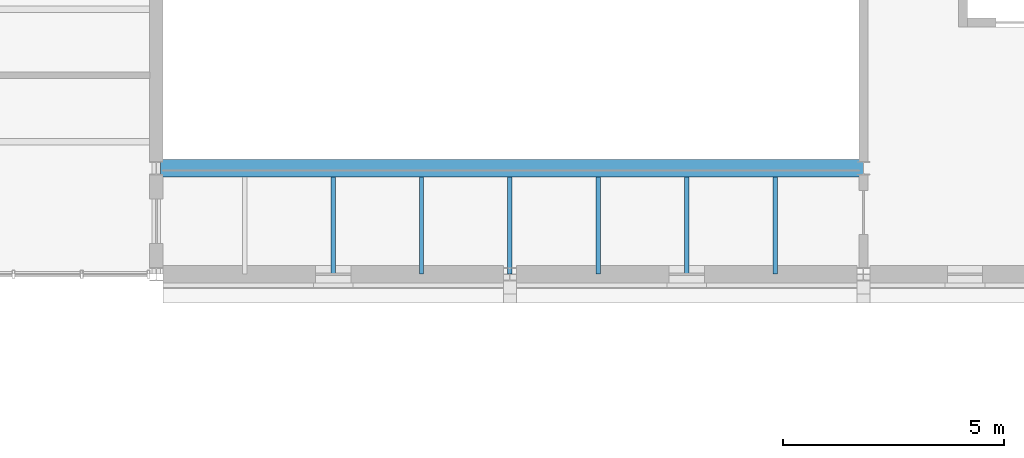
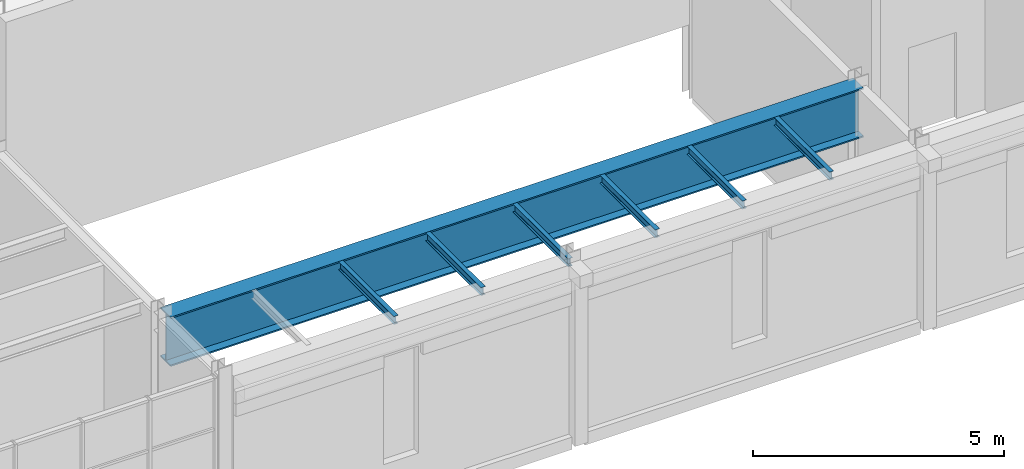
# One storey, part 72 of 153: 7 beams.
"""IFC4 building model written with IfcOpenShell, lengths in metres."""

import ifcopenshell
import ifcopenshell.guid

model = None  # the IFC model being written
_history = None  # IfcOwnerHistory: only IFC2X3 demands one
_inside = {}  # id of a spatial element -> (the spatial element, [elements in it])
_under = {}  # id of a project, library or spatial element -> (it, [spatial elements below it])
_declared = {}  # id of a project -> (the project, [libraries it declares])
_typed = {}  # id of a type object -> (the type object, [elements of that type])
_made_of = {}  # id of a material, layer set ... -> (it, [elements and type objects made of it])


def new_model(schema):
    """Start an empty IFC model of exactly this schema.

    Asked for "IFC4X3", IfcOpenShell would pick the latest addendum, in which some entities
    have other attributes; the version numbers below select the first issue.
    IFC2X3 requires an IfcOwnerHistory on every rooted entity: one is made here for all.
    """
    global model, _history
    if schema == "IFC4X3":
        model = ifcopenshell.file(schema_version=(4, 3, 0, 0))
    else:
        model = ifcopenshell.file(schema=schema)
    _inside.clear()
    _under.clear()
    _declared.clear()
    _typed.clear()
    _made_of.clear()
    _history = None
    if model.schema == "IFC2X3":
        org = make("IfcOrganization", Name="unknown")
        user = make(
            "IfcPersonAndOrganization",
            ThePerson=make("IfcPerson", FamilyName="unknown"),
            TheOrganization=org,
        )
        app = make(
            "IfcApplication",
            ApplicationDeveloper=org,
            Version="unknown",
            ApplicationFullName="unknown",
            ApplicationIdentifier="unknown",
        )
        _history = make(
            "IfcOwnerHistory",
            OwningUser=user,
            OwningApplication=app,
            ChangeAction="ADDED",
            CreationDate=0,
        )
    return model


def make(cls, **values):
    """One entity of the class cls with the attributes given. An attribute that is None is left unset."""
    return model.create_entity(
        cls, **{name: value for name, value in values.items() if value is not None}
    )


def rooted(cls, **values):
    """An entity with a GlobalId (a new one), such as an element, a storey or a relation."""
    return make(cls, GlobalId=ifcopenshell.guid.new(), OwnerHistory=_history, **values)


def si_unit(unit_type, name, prefix=None):
    """IfcSIUnit, for example si_unit("LENGTHUNIT", "METRE", prefix="MILLI")."""
    return make("IfcSIUnit", UnitType=unit_type, Prefix=prefix, Name=name)


def assignment(units):
    """IfcUnitAssignment: the units of a project."""
    return None if units is None else make("IfcUnitAssignment", Units=units)


def point(xyz):
    """IfcCartesianPoint."""
    return None if xyz is None else make("IfcCartesianPoint", Coordinates=xyz)


def direction(xyz):
    """IfcDirection."""
    return None if xyz is None else make("IfcDirection", DirectionRatios=xyz)


def frame(location, z_axis=None, x_axis=None):
    """IfcAxis2Placement3D, a coordinate frame: its origin and axes. An axis left out is left unset."""
    return make(
        "IfcAxis2Placement3D",
        Location=point(location),
        Axis=direction(z_axis),
        RefDirection=direction(x_axis),
    )


def frame_2d(location, x_axis=None):
    """IfcAxis2Placement2D, a coordinate frame in the plane: its origin and x axis."""
    return make(
        "IfcAxis2Placement2D", Location=point(location), RefDirection=direction(x_axis)
    )


def origin():
    """The frame at (0, 0, 0) with its axes left unset."""
    return frame((0.0, 0.0, 0.0))


def origin_2d():
    """The frame at (0, 0) in the plane with its x axis left unset."""
    return frame_2d((0.0, 0.0))


def place(relative_to, where):
    """IfcLocalPlacement: puts the frame where relative to a parent placement (None: the world)."""
    return make(
        "IfcLocalPlacement", PlacementRelTo=relative_to, RelativePlacement=where
    )


def context(
    kind, dimensions, precision=None, world=None, true_north=None, identifier=None
):
    """IfcGeometricRepresentationContext, for example the 3D "Model" context."""
    return make(
        "IfcGeometricRepresentationContext",
        ContextIdentifier=identifier,
        ContextType=kind,
        CoordinateSpaceDimension=dimensions,
        Precision=precision,
        WorldCoordinateSystem=world,
        TrueNorth=true_north,
    )


def subcontext(parent, identifier, kind, view, scale=None):
    """IfcGeometricRepresentationSubContext, for example "Body" below "Model"."""
    return make(
        "IfcGeometricRepresentationSubContext",
        ContextIdentifier=identifier,
        ContextType=kind,
        ParentContext=parent,
        TargetScale=scale,
        TargetView=view,
    )


def project(units=None, contexts=None):
    """IfcProject with its units and contexts."""
    return rooted(
        "IfcProject",
        Name="project",
        RepresentationContexts=contexts,
        UnitsInContext=assignment(units),
    )


def spatial(cls, under=None, at=None, **own):
    """A site, building, storey or space (cls), placed at a placement, below another one or the project."""
    s = rooted(cls, ObjectPlacement=at, **own)
    if under is not None:
        _under.setdefault(under.id(), (under, []))[1].append(s)
    return s


def profile(cls, at=None, kind="AREA", **sizes):
    """A parametric profile (cls). Its sizes go by their IFC names, for example OverallWidth=200.0."""
    return make(cls, ProfileType=kind, Position=at, **sizes)


def i_section(**sizes):
    """IfcIShapeProfileDef."""
    return profile("IfcIShapeProfileDef", **sizes)


def extrude(swept, where, along, depth):
    """IfcExtrudedAreaSolid: the profile swept, set in the frame where, extruded along a direction by depth."""
    return make(
        "IfcExtrudedAreaSolid",
        SweptArea=swept,
        Position=where,
        ExtrudedDirection=direction(along),
        Depth=depth,
    )


def shape(context_of_items, identifier, shape_type, items):
    """IfcShapeRepresentation: the items that make up one representation, for example the "Body"."""
    return make(
        "IfcShapeRepresentation",
        ContextOfItems=context_of_items,
        RepresentationIdentifier=identifier,
        RepresentationType=shape_type,
        Items=items,
    )


def material(Name=None, Category=None):
    """IfcMaterial."""
    return make("IfcMaterial", Name=Name, Category=Category)


def material_profile(
    of_material, cross_section, Name=None, Category=None, Priority=None
):
    """IfcMaterialProfile: a cross section and its material."""
    return make(
        "IfcMaterialProfile",
        Name=Name,
        Material=of_material,
        Profile=cross_section,
        Priority=Priority,
        Category=Category,
    )


def profile_set(profiles, Name=None, composite=None):
    """IfcMaterialProfileSet."""
    return make(
        "IfcMaterialProfileSet",
        Name=Name,
        MaterialProfiles=profiles,
        CompositeProfile=composite,
    )


def made_of(thing, what):
    """Note that an element or type object is made of a material, layer set ...; save() writes the relation."""
    if what is not None:
        _made_of.setdefault(what.id(), (what, []))[1].append(thing)
    return thing


def type_object(cls, material=None, **own):
    """A type object (cls), such as IfcWallType, which elements share."""
    return made_of(rooted(cls, **own), material)


def element(
    cls,
    number,
    at=None,
    inside=None,
    cuts=None,
    type_object=None,
    material=None,
    context=None,
    identifier="Body",
    shape_type=None,
    held_by="IfcProductDefinitionShape",
    body=None,
    shapes=None,
    **own,
):
    """One element of the class cls, such as IfcWall. Its Tag is "e" and its number.

    at: its placement. inside: the storey or other place that contains it. cuts: it is an
    opening in that element (IfcRelVoidsElement). A single representation is given by context,
    identifier, shape_type and body (its items); several are given by shapes. held_by: the class
    of the entity that holds the representations. save() writes the other relations.
    """
    e = rooted(cls, Tag="e%d" % number, ObjectPlacement=at, **own)
    if body is not None:
        shapes = [shape(context, identifier, shape_type, body)]
    if shapes is not None:
        e.Representation = make(held_by, Representations=shapes)
    if inside is not None:
        _inside.setdefault(inside.id(), (inside, []))[1].append(e)
    if cuts is not None:
        rooted(
            "IfcRelVoidsElement", RelatingBuildingElement=cuts, RelatedOpeningElement=e
        )
    if type_object is not None:
        _typed.setdefault(type_object.id(), (type_object, []))[1].append(e)
    return made_of(e, material)


def aggregate(whole, parts):
    """IfcRelAggregates: a whole, such as a stair, and the parts it consists of."""
    return rooted("IfcRelAggregates", RelatingObject=whole, RelatedObjects=parts)


def save(model, path):
    """Write the relations noted so far, then the file.

    IfcRelAggregates (storeys below a building ...), IfcRelContainedInSpatialStructure (elements
    in a storey), IfcRelDefinesByType, IfcRelAssociatesMaterial and IfcRelDeclares: one each for
    every whole, place, type object, material and project.
    """
    for whole, parts in _under.values():
        aggregate(whole, parts)
    for where, things in _inside.values():
        rooted(
            "IfcRelContainedInSpatialStructure",
            RelatedElements=things,
            RelatingStructure=where,
        )
    for kind, things in _typed.values():
        rooted("IfcRelDefinesByType", RelatedObjects=things, RelatingType=kind)
    for what, things in _made_of.values():
        rooted("IfcRelAssociatesMaterial", RelatedObjects=things, RelatingMaterial=what)
    for by, libraries in _declared.values():
        rooted("IfcRelDeclares", RelatingContext=by, RelatedDefinitions=libraries)
    model.write(path)


model = new_model("IFC4")

# Units and contexts
model_context = context("Model", 3, precision=1e-05, world=origin(), true_north=direction((0.0, 1.0)))
body_context = subcontext(model_context, "Body", "Model", "MODEL_VIEW")
ifc_project = project(units=[si_unit("LENGTHUNIT", "METRE"), si_unit("AREAUNIT", "SQUARE_METRE"), si_unit("VOLUMEUNIT", "CUBIC_METRE"), si_unit("PLANEANGLEUNIT", "RADIAN"), si_unit("MASSUNIT", "GRAM", prefix="KILO")], contexts=[model_context])

# Site, building, storey
site_placement = place(None, origin())
site = spatial("IfcSite", under=ifc_project, at=site_placement, CompositionType="ELEMENT")
building_placement = place(site_placement, origin())
building = spatial("IfcBuilding", under=site, at=building_placement, Name="Kallimachos Central Library", CompositionType="ELEMENT")
storey_placement = place(building_placement, frame((0.0, 0.0, 5.39990234375)))
storey = spatial("IfcBuildingStorey", under=building, at=storey_placement, Name="L01", CompositionType="ELEMENT", Elevation=5.39990234375)

# Beams
ifc_material_1 = material(Name="Steel S355J2", Category="steel")
ifc_material_profile_1 = material_profile(ifc_material_1, i_section(OverallWidth=0.10009765625, OverallDepth=0.199951171875, WebThickness=0.005615234375, FlangeThickness=0.008544921875, FilletRadius=0.011962890625, at=origin_2d()), Name="IPE 200")
ifc_profile_set_1 = profile_set([ifc_material_profile_1], Name="Steel S355J2")
beam_type_1 = type_object("IfcBeamType", Name="IPE 200 beam", PredefinedType="BEAM", material=ifc_profile_set_1)
for number, where, z_axis, x_axis, name in (
    (1, (150.0, 87.0, 4.150146484375), (0.0, 1.0, 0.0), (-1.0, 0.0, 0.0), "V3-BEM-L01-012"),
    (2, (152.0, 87.0, 4.150146484375), (0.0, 1.0, 0.0), (-1.0, 0.0, 0.0), "V3-BEM-L01-013"),
    (3, (154.0, 87.0, 4.150146484375), (0.0, 1.0, 0.0), (-1.0, 0.0, 0.0), "V3-BEM-L01-014"),
    (4, (156.0, 87.0, 4.150146484375), (0.0, 1.0, 0.0), (-1.0, 0.0, 0.0), "V3-BEM-L01-015"),
    (5, (158.0, 87.0, 4.150146484375), (0.0, 1.0, 0.0), (-1.0, 0.0, 0.0), "V3-BEM-L01-016"),
    (6, (160.0, 87.0, 4.150146484375), (0.0, 1.0, 0.0), (-1.0, 0.0, 0.0), "V3-BEM-L01-017"),
):
    element("IfcBeam", number, at=place(storey_placement, frame(where, z_axis=z_axis, x_axis=x_axis)), inside=storey, type_object=beam_type_1, Name=name, PredefinedType="BEAM", context=body_context, shape_type="SweptSolid", body=[
        extrude(i_section(OverallWidth=0.10009765625, OverallDepth=0.199951171875, WebThickness=0.005615234375, FlangeThickness=0.008544921875, FilletRadius=0.011962890625, at=origin_2d()), origin(), (0.0, 0.0, 1.0), 2.199951171875),
    ])
ifc_material_2 = material(Name="Steel S355K2", Category="steel")
ifc_material_profile_2 = material_profile(ifc_material_2, i_section(OverallWidth=0.39990234375, OverallDepth=1.199951171875, WebThickness=0.02001953125, FlangeThickness=0.034912109375, at=origin_2d()), Name="PG 1200x400-20/35")
ifc_profile_set_2 = profile_set([ifc_material_profile_2], Name="Steel S355K2")
beam_type_2 = type_object("IfcBeamType", Name="PG 1200x400-20/35 beam", PredefinedType="BEAM", material=ifc_profile_set_2)
beam_placement = place(storey_placement, frame((146.094970703125, 89.39990234375, 3.650146484375), z_axis=(1.0, 0.0, 0.0), x_axis=(0.0, 1.0, 0.0)))
element("IfcBeam", 7, at=beam_placement, inside=storey, type_object=beam_type_2, Name="V3-BEM-L01-010", PredefinedType="BEAM", context=body_context, shape_type="SweptSolid", body=[
    extrude(i_section(OverallWidth=0.39990234375, OverallDepth=1.199951171875, WebThickness=0.02001953125, FlangeThickness=0.034912109375, at=origin_2d()), origin(), (0.0, 0.0, 1.0), 15.905029296875),
])

save(model, "model.ifc")
